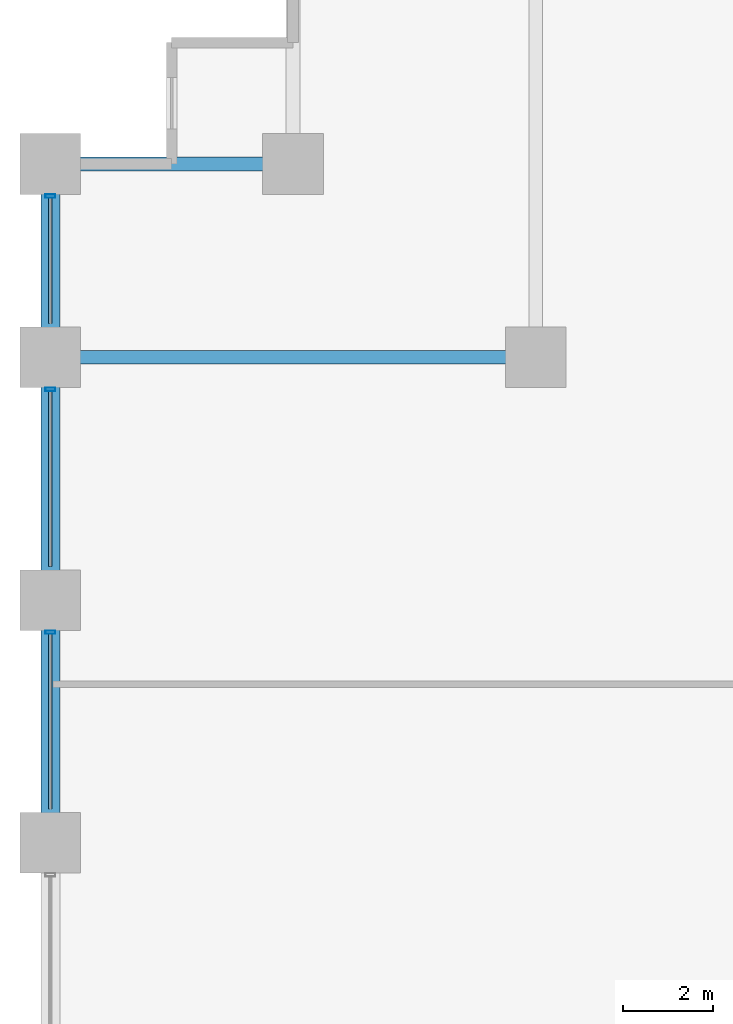
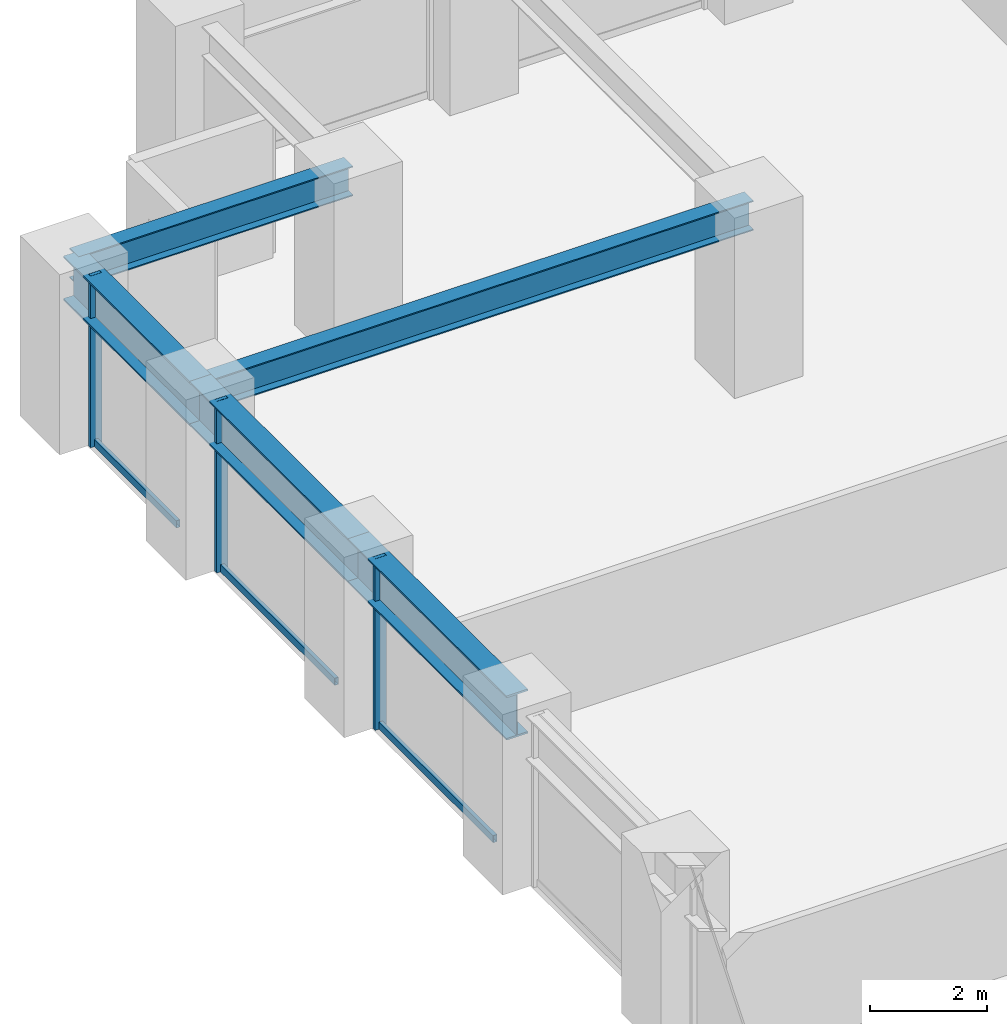
# One storey, part 10 of 25: 6 members, 5 beams, 1 element without a shape of its own.
"""IFC4 building model written with IfcOpenShell, lengths in metres."""

from ifc_helpers import new_model, si_unit, direction, frame, origin, origin_2d, place, context, subcontext, project, spatial, hollow_rectangle, i_section, extrude, material, layer, layer_set, material_profile, profile_set, type_object, element, aggregate, save


model = new_model("IFC4")

# Units and contexts
model_context = context("Model", 3, precision=1e-05, world=origin(), true_north=direction((0.0, 1.0)))
body_context = subcontext(model_context, "Body", "Model", "MODEL_VIEW")
ifc_project = project(units=[si_unit("LENGTHUNIT", "METRE"), si_unit("AREAUNIT", "SQUARE_METRE"), si_unit("VOLUMEUNIT", "CUBIC_METRE"), si_unit("PLANEANGLEUNIT", "RADIAN"), si_unit("MASSUNIT", "GRAM", prefix="KILO")], contexts=[model_context])

# Site, building, storey
site_placement = place(None, origin())
site = spatial("IfcSite", under=ifc_project, at=site_placement, CompositionType="ELEMENT")
building_placement = place(site_placement, origin())
building = spatial("IfcBuilding", under=site, at=building_placement, Name="Surkhivell Harbour Commons", CompositionType="ELEMENT")
storey_placement = place(building_placement, frame((0.0, 0.0, 45.0)))
storey = spatial("IfcBuildingStorey", under=building, at=storey_placement, Name="L11", CompositionType="ELEMENT", Elevation=45.0)

# Beams
ifc_material_1 = material(Name="Steel S355", Category="steel")
ifc_material_profile_1 = material_profile(ifc_material_1, i_section(OverallWidth=0.306884765625, OverallDepth=0.6201171875, WebThickness=0.01416015625, FlangeThickness=0.023681640625, at=origin_2d()), Name="UB610x305x179")
ifc_profile_set_1 = profile_set([ifc_material_profile_1], Name="Steel S355")
beam_type_1 = type_object("IfcBeamType", Name="BM-GRD-610A", PredefinedType="BEAM", material=ifc_profile_set_1)
beam_1_placement = place(storey_placement, frame((-32.39990234375, 16.199951171875, 3.260009765625), z_axis=(1.0, 0.0, 0.0), x_axis=(0.0, 1.0, 0.0)))
element("IfcBeam", 1, at=beam_1_placement, inside=storey, type_object=beam_type_1, Name="L11 Floor Girder (-32.4,16.2)", PredefinedType="BEAM", context=body_context, shape_type="SweptSolid", body=[
    extrude(i_section(OverallWidth=0.306884765625, OverallDepth=0.6201171875, WebThickness=0.01416015625, FlangeThickness=0.023681640625, at=origin_2d()), origin(), (0.0, 0.0, 1.0), 10.7998046875),
])
beam_2_placement = place(storey_placement, frame((-32.39990234375, 20.5, 3.260009765625), z_axis=(1.0, 0.0, 0.0), x_axis=(0.0, 1.0, 0.0)))
element("IfcBeam", 2, at=beam_2_placement, inside=storey, type_object=beam_type_1, Name="L11 Floor Girder (-32.4,20.5)", PredefinedType="BEAM", context=body_context, shape_type="SweptSolid", body=[
    extrude(i_section(OverallWidth=0.306884765625, OverallDepth=0.6201171875, WebThickness=0.01416015625, FlangeThickness=0.023681640625, at=origin_2d()), origin(), (0.0, 0.0, 1.0), 5.39990234375),
])
ifc_material_2 = material(Name="Steel S460", Category="steel")
ifc_material_profile_2 = material_profile(ifc_material_2, i_section(OverallWidth=0.419921875, OverallDepth=0.9208984375, WebThickness=0.021484375, FlangeThickness=0.03662109375, at=origin_2d()), Name="UB914x419x388")
ifc_profile_set_2 = profile_set([ifc_material_profile_2], Name="Steel S460")
beam_type_2 = type_object("IfcBeamType", Name="BM-SPN-914A", PredefinedType="SPANDREL", material=ifc_profile_set_2)
beam_3_placement = place(storey_placement, frame((-32.39990234375, 5.39990234375, 3.109619140625), z_axis=(0.0, 1.0, 0.0), x_axis=(-1.0, 0.0, 0.0)))
element("IfcBeam", 3, at=beam_3_placement, inside=storey, type_object=beam_type_2, Name="L11 Tube Spandrel (-32.4,5.4)", PredefinedType="SPANDREL", context=body_context, shape_type="SweptSolid", body=[
    extrude(i_section(OverallWidth=0.419921875, OverallDepth=0.9208984375, WebThickness=0.021484375, FlangeThickness=0.03662109375, at=origin_2d()), origin(), (0.0, 0.0, 1.0), 5.400146484375),
])
beam_4_placement = place(storey_placement, frame((-32.39990234375, 10.800048828125, 3.109619140625), z_axis=(0.0, 1.0, 0.0), x_axis=(-1.0, 0.0, 0.0)))
element("IfcBeam", 4, at=beam_4_placement, inside=storey, type_object=beam_type_2, Name="L11 Tube Spandrel (-32.4,10.8)", PredefinedType="SPANDREL", context=body_context, shape_type="SweptSolid", body=[
    extrude(i_section(OverallWidth=0.419921875, OverallDepth=0.9208984375, WebThickness=0.021484375, FlangeThickness=0.03662109375, at=origin_2d()), origin(), (0.0, 0.0, 1.0), 5.39990234375),
])
beam_5_placement = place(storey_placement, frame((-32.39990234375, 16.199951171875, 3.109619140625), z_axis=(0.0, 1.0, 0.0), x_axis=(-1.0, 0.0, 0.0)))
element("IfcBeam", 5, at=beam_5_placement, inside=storey, type_object=beam_type_2, Name="L11 Tube Spandrel (-32.4,16.2)", PredefinedType="SPANDREL", context=body_context, shape_type="SweptSolid", body=[
    extrude(i_section(OverallWidth=0.419921875, OverallDepth=0.9208984375, WebThickness=0.021484375, FlangeThickness=0.03662109375, at=origin_2d()), origin(), (0.0, 0.0, 1.0), 4.300048828125),
])

# Curtain wall, members
ifc_material_3 = material(Name="Anodised pale-metal aluminium and insulated glazing", Category="aluminium")
ifc_layer = layer(ifc_material_3, 0.219970703125)
ifc_layer_set = layer_set([ifc_layer], Name="Anodised pale-metal aluminium and insulated glazing")
curtain_wall_type = type_object("IfcCurtainWallType", Name="CW-SYS-Z1", PredefinedType="NOTDEFINED", material=ifc_layer_set)
curtain_wall_placement = place(storey_placement, origin())
curtain_wall = element("IfcCurtainWall", 6, at=curtain_wall_placement, inside=storey, type_object=curtain_wall_type, Name="L11 Curtain Wall CW-L11-E12S1", PredefinedType="NOTDEFINED")
ifc_material_4 = material(Name="Anodised pale-metal aluminium alloy 6063-T6", Category="aluminium")
ifc_material_profile_3 = material_profile(ifc_material_4, hollow_rectangle(XDim=0.074951171875, YDim=0.219970703125, WallThickness=0.00390625, at=origin_2d()), Name="ALU-MULL-75x220")
ifc_profile_set_3 = profile_set([ifc_material_profile_3], Name="Anodised pale-metal aluminium alloy 6063-T6")
member_type_1 = type_object("IfcMemberType", Name="CWM-220", PredefinedType="MULLION", material=ifc_profile_set_3)
member_1_placement = place(storey_placement, frame((-32.39990234375, 19.785400390625, 0.0), z_axis=(0.0, 0.0, 1.0), x_axis=(0.0, -1.0, 0.0)))
member_1 = element("IfcMember", 7, at=member_1_placement, type_object=member_type_1, Name="CW-Z1 mullion 1", PredefinedType="MULLION", context=body_context, shape_type="SweptSolid", body=[
    extrude(hollow_rectangle(XDim=0.074951171875, YDim=0.219970703125, WallThickness=0.00390625, at=origin_2d()), origin(), (0.0, 0.0, 1.0), 3.570068359375),
])
member_2_placement = place(storey_placement, frame((-32.39990234375, 15.485595703125, 0.0), z_axis=(0.0, 0.0, 1.0), x_axis=(0.0, -1.0, 0.0)))
member_2 = element("IfcMember", 8, at=member_2_placement, type_object=member_type_1, Name="CW-Z1 mullion 2", PredefinedType="MULLION", context=body_context, shape_type="SweptSolid", body=[
    extrude(hollow_rectangle(XDim=0.074951171875, YDim=0.219970703125, WallThickness=0.00390625, at=origin_2d()), origin(), (0.0, 0.0, 1.0), 3.570068359375),
])
member_3_placement = place(storey_placement, frame((-32.39990234375, 10.08544921875, 0.0), z_axis=(0.0, 0.0, 1.0), x_axis=(0.0, -1.0, 0.0)))
member_3 = element("IfcMember", 9, at=member_3_placement, type_object=member_type_1, Name="CW-Z1 mullion 3", PredefinedType="MULLION", context=body_context, shape_type="SweptSolid", body=[
    extrude(hollow_rectangle(XDim=0.074951171875, YDim=0.219970703125, WallThickness=0.00390625, at=origin_2d()), origin(), (0.0, 0.0, 1.0), 3.570068359375),
])
ifc_material_profile_4 = material_profile(ifc_material_4, hollow_rectangle(XDim=0.074951171875, YDim=0.14990234375, WallThickness=0.00341796875, at=origin_2d()), Name="ALU-TRAN-75x150")
ifc_profile_set_4 = profile_set([ifc_material_profile_4], Name="Anodised pale-metal aluminium alloy 6063-T6")
member_type_2 = type_object("IfcMemberType", Name="CWT-150", PredefinedType="USERDEFINED", material=ifc_profile_set_4)
member_4_placement = place(storey_placement, frame((-32.39990234375, 19.748046875, 0.074951171875), z_axis=(0.0, -1.0, 0.0), x_axis=(1.0, 0.0, 0.0)))
member_4 = element("IfcMember", 10, at=member_4_placement, type_object=member_type_2, Name="CW-Z1 transom 1.1", ObjectType="TRANSOM", PredefinedType="USERDEFINED", context=body_context, shape_type="SweptSolid", body=[
    extrude(hollow_rectangle(XDim=0.074951171875, YDim=0.14990234375, WallThickness=0.00341796875, at=origin_2d()), origin(), (0.0, 0.0, 1.0), 2.796142578125),
])
member_5_placement = place(storey_placement, frame((-32.39990234375, 15.447998046875, 0.074951171875), z_axis=(0.0, -1.0, 0.0), x_axis=(1.0, 0.0, 0.0)))
member_5 = element("IfcMember", 11, at=member_5_placement, type_object=member_type_2, Name="CW-Z1 transom 2.1", ObjectType="TRANSOM", PredefinedType="USERDEFINED", context=body_context, shape_type="SweptSolid", body=[
    extrude(hollow_rectangle(XDim=0.074951171875, YDim=0.14990234375, WallThickness=0.00341796875, at=origin_2d()), origin(), (0.0, 0.0, 1.0), 3.89599609375),
])
member_6_placement = place(storey_placement, frame((-32.39990234375, 10.048095703125, 0.074951171875), z_axis=(0.0, -1.0, 0.0), x_axis=(1.0, 0.0, 0.0)))
member_6 = element("IfcMember", 12, at=member_6_placement, type_object=member_type_2, Name="CW-Z1 transom 3.1", ObjectType="TRANSOM", PredefinedType="USERDEFINED", context=body_context, shape_type="SweptSolid", body=[
    extrude(hollow_rectangle(XDim=0.074951171875, YDim=0.14990234375, WallThickness=0.00341796875, at=origin_2d()), origin(), (0.0, 0.0, 1.0), 3.89599609375),
])
aggregate(curtain_wall, [member_1, member_4, member_2, member_5, member_3, member_6])

save(model, "model.ifc")
